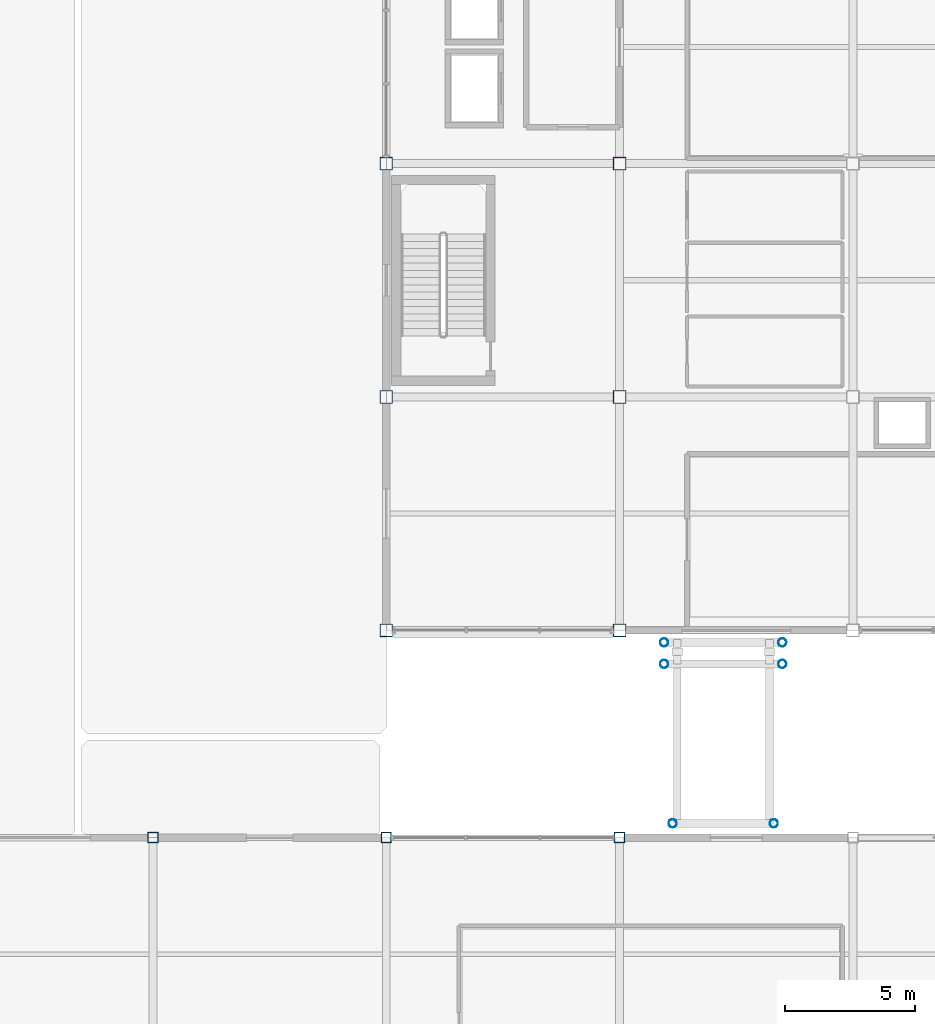
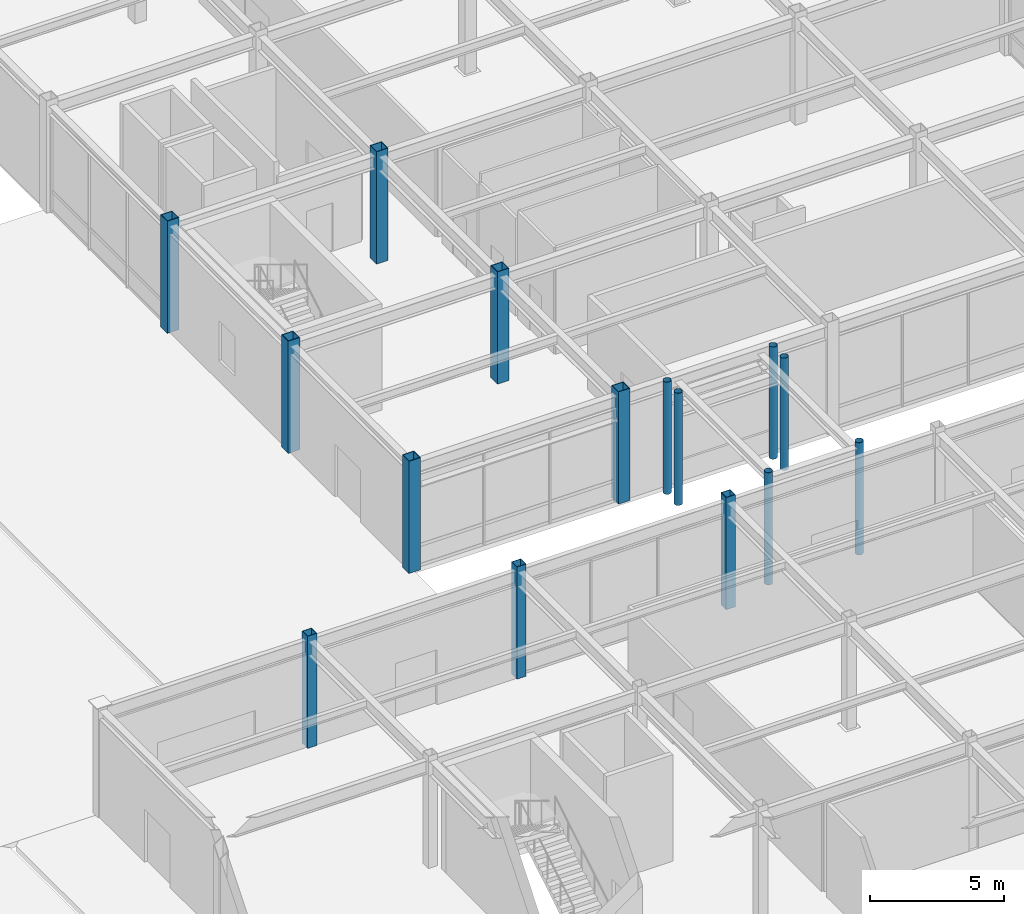
# One storey, part 24 of 123: 15 columns.
"""IFC4 building model written with IfcOpenShell, lengths in metres."""

from ifc_helpers import new_model, si_unit, direction, frame, origin, origin_2d, place, context, subcontext, project, spatial, hollow_rectangle, hollow_circle, extrude, material, material_profile, profile_set, type_object, element, save


model = new_model("IFC4")

# Units and contexts
model_context = context("Model", 3, precision=1e-05, world=origin(), true_north=direction((0.0, 1.0)))
body_context = subcontext(model_context, "Body", "Model", "MODEL_VIEW")
ifc_project = project(units=[si_unit("LENGTHUNIT", "METRE"), si_unit("AREAUNIT", "SQUARE_METRE"), si_unit("VOLUMEUNIT", "CUBIC_METRE"), si_unit("PLANEANGLEUNIT", "RADIAN"), si_unit("MASSUNIT", "GRAM", prefix="KILO")], contexts=[model_context])

# Site, building, storey
site_placement = place(None, origin())
site = spatial("IfcSite", under=ifc_project, at=site_placement, CompositionType="ELEMENT")
building_placement = place(site_placement, origin())
building = spatial("IfcBuilding", under=site, at=building_placement, Name="Suzunagisa Mobility Hub", CompositionType="ELEMENT")
storey_placement = place(building_placement, origin())
storey = spatial("IfcBuildingStorey", under=building, at=storey_placement, Name="L00", CompositionType="ELEMENT", Elevation=0.0)

# Columns
ifc_material = material(Name="Steel SN490B", Category="steel")
ifc_material_profile_1 = material_profile(ifc_material, hollow_circle(Radius=0.1591796875, WallThickness=0.01025390625, at=origin_2d()), Name="CHS-318.5x10.3")
ifc_profile_set_1 = profile_set([ifc_material_profile_1], Name="Steel SN490B")
column_type_1 = type_object("IfcColumnType", Name="Steel Column CL-09 CHS-318.5x10.3", PredefinedType="COLUMN", material=ifc_profile_set_1)
for number, where, z_axis, x_axis, name in (
    (1, (154.719970703125, 42.699951171875, 0.0), (0.0, 0.0, 1.0), (1.0, 0.0, 0.0), "L00 Column 277"),
    (2, (154.719970703125, 43.530029296875, 0.0), (0.0, 0.0, 1.0), (1.0, 0.0, 0.0), "L00 Column 278"),
    (3, (155.050048828125, 36.550048828125, 0.0), (0.0, 0.0, 1.0), (1.0, 0.0, 0.0), "L00 Column 279"),
    (4, (158.949951171875, 36.550048828125, 0.0), (0.0, 0.0, 1.0), (1.0, 0.0, 0.0), "L00 Column 280"),
    (5, (159.280029296875, 42.699951171875, 0.0), (0.0, 0.0, 1.0), (1.0, 0.0, 0.0), "L00 Column 281"),
    (6, (159.280029296875, 43.530029296875, 0.0), (0.0, 0.0, 1.0), (1.0, 0.0, 0.0), "L00 Column 282"),
):
    element("IfcColumn", number, at=place(storey_placement, frame(where, z_axis=z_axis, x_axis=x_axis)), inside=storey, type_object=column_type_1, Name=name, PredefinedType="COLUMN", context=body_context, shape_type="SweptSolid", body=[
        extrude(hollow_circle(Radius=0.1591796875, WallThickness=0.01025390625, at=origin_2d()), origin(), (0.0, 0.0, 1.0), 5.10009765625),
    ])
ifc_material_profile_2 = material_profile(ifc_material, hollow_rectangle(XDim=0.5, YDim=0.5, WallThickness=0.02490234375, at=origin_2d()), Name="BCR-500x500x25")
ifc_profile_set_2 = profile_set([ifc_material_profile_2], Name="Steel SN490B")
column_type_2 = type_object("IfcColumnType", Name="Steel Column CL-11 BCR-500x500x25", PredefinedType="COLUMN", material=ifc_profile_set_2)
for number, where, z_axis, x_axis, name in (
    (7, (144.0, 44.0, 0.0), (0.0, 0.0, 1.0), (1.0, 0.0, 0.0), "L00 Column 256"),
    (8, (144.0, 53.0, 0.0), (0.0, 0.0, 1.0), (1.0, 0.0, 0.0), "L00 Column 257"),
    (9, (144.0, 62.0, 0.0), (0.0, 0.0, 1.0), (1.0, 0.0, 0.0), "L00 Column 258"),
    (10, (153.0, 44.0, 0.0), (0.0, 0.0, 1.0), (1.0, 0.0, 0.0), "L00 Column 269"),
    (11, (153.0, 53.0, 0.0), (0.0, 0.0, 1.0), (1.0, 0.0, 0.0), "L00 Column 270"),
    (12, (153.0, 62.0, 0.0), (0.0, 0.0, 1.0), (1.0, 0.0, 0.0), "L00 Column 271"),
):
    element("IfcColumn", number, at=place(storey_placement, frame(where, z_axis=z_axis, x_axis=x_axis)), inside=storey, type_object=column_type_2, Name=name, PredefinedType="COLUMN", context=body_context, shape_type="SweptSolid", body=[
        extrude(hollow_rectangle(XDim=0.5, YDim=0.5, WallThickness=0.02490234375, at=origin_2d()), origin(), (0.0, 0.0, 1.0), 5.10009765625),
    ])
ifc_material_profile_3 = material_profile(ifc_material, hollow_rectangle(XDim=0.39990234375, YDim=0.39990234375, WallThickness=0.01904296875, at=origin_2d()), Name="BCR-400x400x19")
ifc_profile_set_3 = profile_set([ifc_material_profile_3], Name="Steel SN490B")
column_type_3 = type_object("IfcColumnType", Name="Steel Column CL-13 BCR-400x400x19", PredefinedType="COLUMN", material=ifc_profile_set_3)
for number, where, z_axis, x_axis, name in (
    (13, (135.0, 36.0, 0.0), (0.0, 0.0, 1.0), (1.0, 0.0, 0.0), "L00 Column 246"),
    (14, (144.0, 36.0, 0.0), (0.0, 0.0, 1.0), (1.0, 0.0, 0.0), "L00 Column 255"),
    (15, (153.0, 36.0, 0.0), (0.0, 0.0, 1.0), (1.0, 0.0, 0.0), "L00 Column 268"),
):
    element("IfcColumn", number, at=place(storey_placement, frame(where, z_axis=z_axis, x_axis=x_axis)), inside=storey, type_object=column_type_3, Name=name, PredefinedType="COLUMN", context=body_context, shape_type="SweptSolid", body=[
        extrude(hollow_rectangle(XDim=0.39990234375, YDim=0.39990234375, WallThickness=0.01904296875, at=origin_2d()), origin(), (0.0, 0.0, 1.0), 5.10009765625),
    ])

save(model, "model.ifc")
